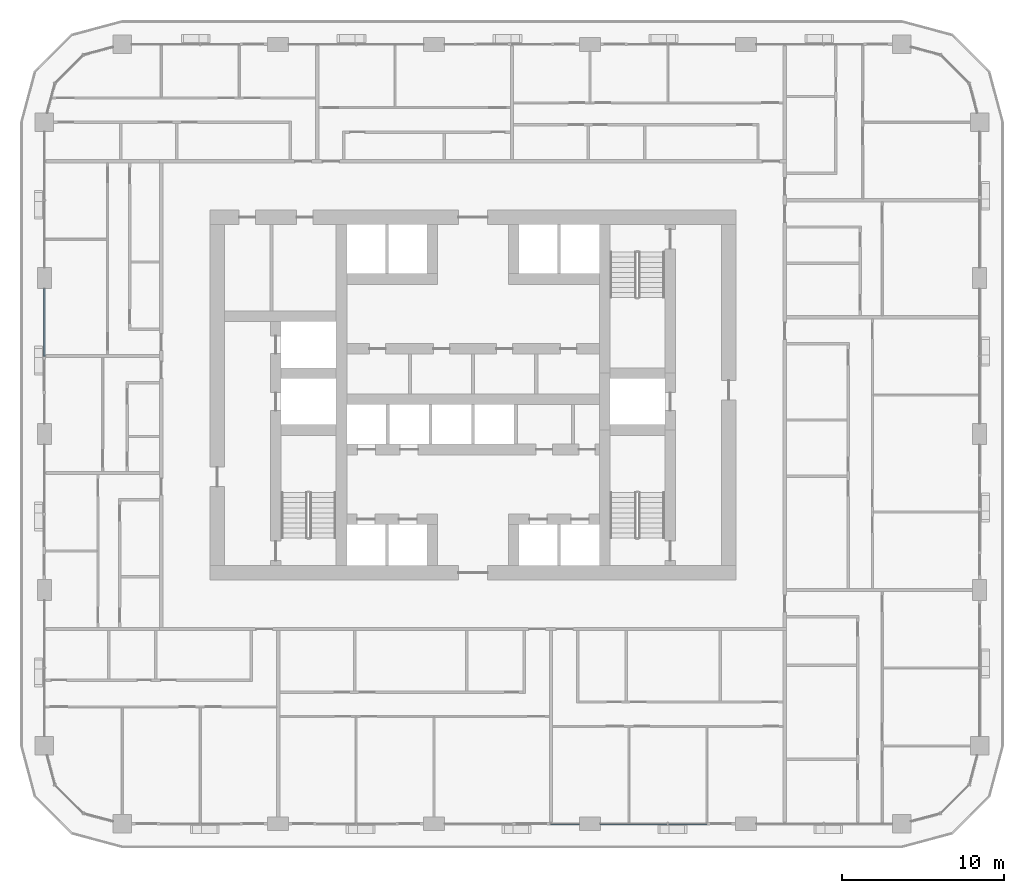
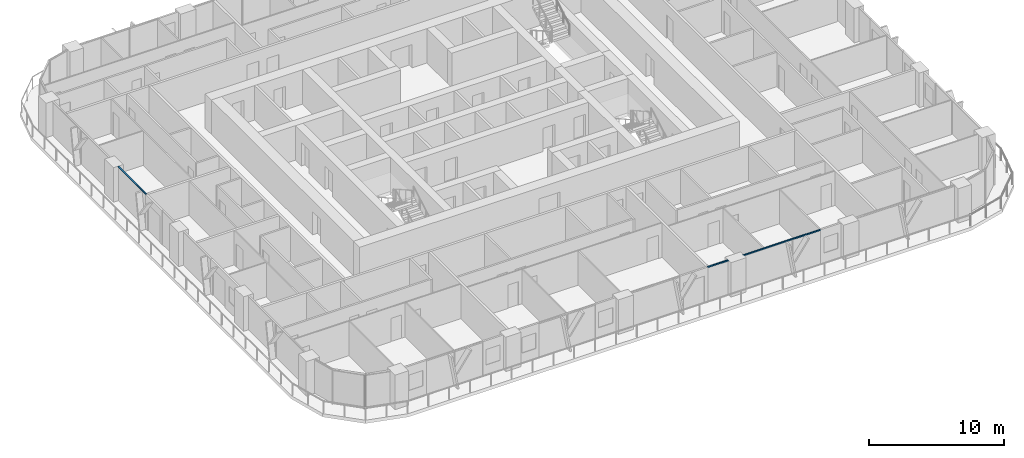
# One storey, part 3 of 21: 3 members, 3 elements without a shape of their own.
"""IFC4 building model written with IfcOpenShell, lengths in metres."""

from ifc_helpers import new_model, si_unit, direction, frame, origin, origin_2d, place, context, subcontext, project, spatial, rectangle, extrude, material, layer, layer_set, material_profile, profile_set, type_object, element, aggregate, save


model = new_model("IFC4")

# Units and contexts
model_context = context("Model", 3, precision=1e-05, world=origin(), true_north=direction((0.0, 1.0)))
body_context = subcontext(model_context, "Body", "Model", "MODEL_VIEW")
ifc_project = project(units=[si_unit("LENGTHUNIT", "METRE"), si_unit("AREAUNIT", "SQUARE_METRE"), si_unit("VOLUMEUNIT", "CUBIC_METRE"), si_unit("PLANEANGLEUNIT", "RADIAN"), si_unit("MASSUNIT", "GRAM", prefix="KILO")], contexts=[model_context])

# Site, building, storey
site_placement = place(None, origin())
site = spatial("IfcSite", under=ifc_project, at=site_placement, CompositionType="ELEMENT")
building_placement = place(site_placement, origin())
building = spatial("IfcBuilding", under=site, at=building_placement, Name="Madar Terraces", CompositionType="ELEMENT")
storey_placement = place(building_placement, frame((0.0, 0.0, 80.300048828125)))
storey = spatial("IfcBuildingStorey", under=building, at=storey_placement, Name="L20", CompositionType="ELEMENT", Elevation=80.300048828125)

# Curtain wall, member
ifc_material_1 = material(Name="Glass, ceramic frit dark grey, with black aluminium frame", Category="aluminium")
ifc_layer = layer(ifc_material_1, 0.199951171875)
ifc_layer_set = layer_set([ifc_layer], Name="Facade curtain wall, fritted glass")
curtain_wall_type = type_object("IfcCurtainWallType", Name="Facade curtain wall, fritted glass", PredefinedType="NOTDEFINED", material=ifc_layer_set)
curtain_wall_1_placement = place(storey_placement, origin())
curtain_wall_1 = element("IfcCurtainWall", 1, at=curtain_wall_1_placement, inside=storey, type_object=curtain_wall_type, Name="Outer skin curtain wall south bay 3", PredefinedType="NOTDEFINED")
ifc_material_2 = material(Name="Aluminium, black anodised", Category="aluminium")
ifc_material_profile = material_profile(ifc_material_2, rectangle(XDim=0.1201171875, YDim=0.06005859375, at=origin_2d()), Name="Facade transom 60x120")
ifc_profile_set = profile_set([ifc_material_profile], Name="Aluminium, black anodised")
member_type = type_object("IfcMemberType", Name="Facade transom 60x120", PredefinedType="USERDEFINED", material=ifc_profile_set)
member_1_placement = place(storey_placement, frame((36.0, 0.0, 3.070068359375), z_axis=(1.0, 0.0, 0.0), x_axis=(0.0, 1.0, 0.0)))
member_1 = element("IfcMember", 2, at=member_1_placement, type_object=member_type, Name="Transom 2", ObjectType="TRANSOM", PredefinedType="USERDEFINED", context=body_context, shape_type="SweptSolid", body=[
    extrude(rectangle(XDim=0.1201171875, YDim=0.06005859375, at=origin_2d()), origin(), (0.0, 0.0, 1.0), 1.75),
])
aggregate(curtain_wall_1, [member_1])

curtain_wall_2_placement = place(storey_placement, origin())
curtain_wall_2 = element("IfcCurtainWall", 3, at=curtain_wall_2_placement, inside=storey, type_object=curtain_wall_type, Name="Outer skin curtain wall south bay 4", PredefinedType="NOTDEFINED")
member_2_placement = place(storey_placement, frame((39.050048828125, 0.0, 3.070068359375), z_axis=(1.0, 0.0, 0.0), x_axis=(0.0, 1.0, 0.0)))
member_2 = element("IfcMember", 4, at=member_2_placement, type_object=member_type, Name="Transom 1", ObjectType="TRANSOM", PredefinedType="USERDEFINED", context=body_context, shape_type="SweptSolid", body=[
    extrude(rectangle(XDim=0.1201171875, YDim=0.06005859375, at=origin_2d()), origin(), (0.0, 0.0, 1.0), 6.550048828125),
])
aggregate(curtain_wall_2, [member_2])

curtain_wall_3_placement = place(storey_placement, origin())
curtain_wall_3 = element("IfcCurtainWall", 5, at=curtain_wall_3_placement, inside=storey, type_object=curtain_wall_type, Name="Outer skin curtain wall west bay 2", PredefinedType="NOTDEFINED")
member_3_placement = place(storey_placement, frame((4.800048828125, 32.949951171875, 3.070068359375), z_axis=(0.0, -1.0, 0.0), x_axis=(1.0, 0.0, 0.0)))
member_3 = element("IfcMember", 6, at=member_3_placement, type_object=member_type, Name="Transom 1", ObjectType="TRANSOM", PredefinedType="USERDEFINED", context=body_context, shape_type="SweptSolid", body=[
    extrude(rectangle(XDim=0.1201171875, YDim=0.06005859375, at=origin_2d()), origin(), (0.0, 0.0, 1.0), 4.14990234375),
])
aggregate(curtain_wall_3, [member_3])

save(model, "model.ifc")
